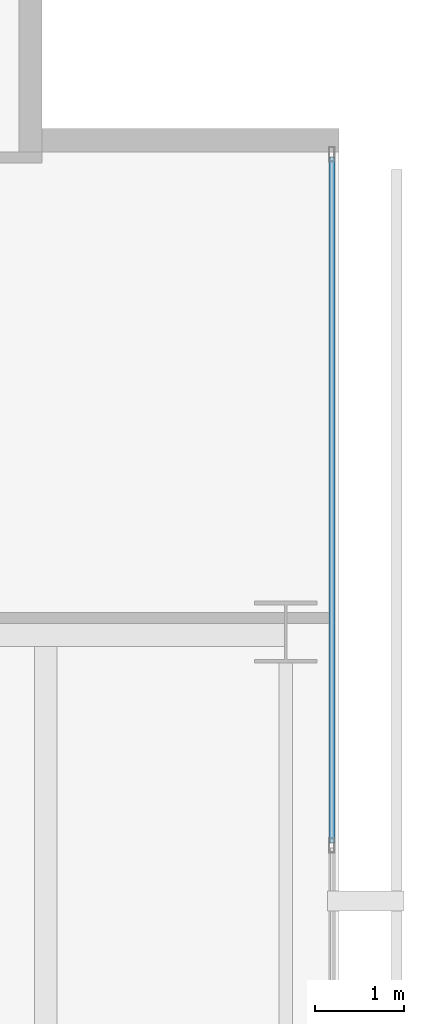
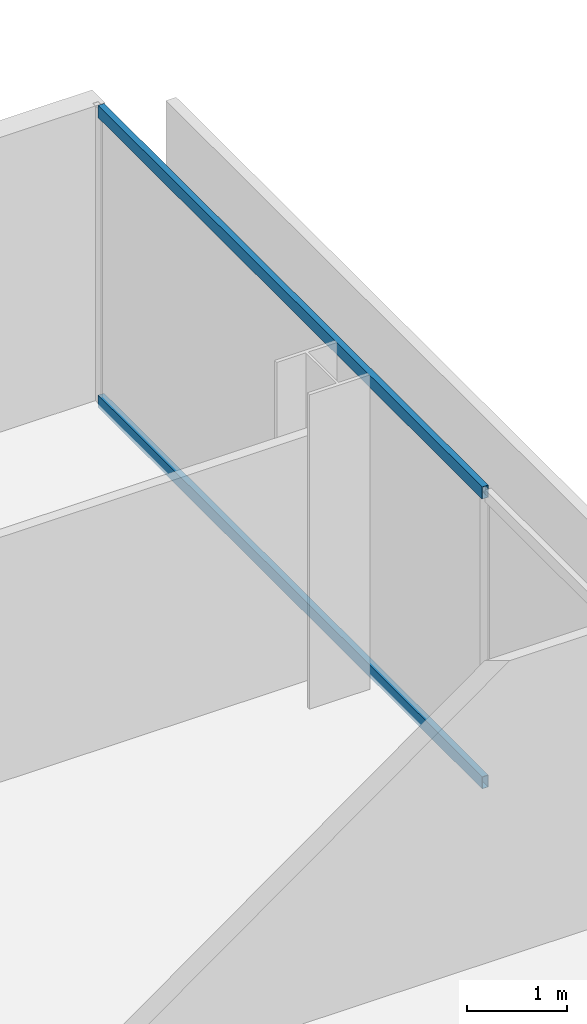
# One storey, part 29 of 40: 2 members, 1 element without a shape of its own.
"""IFC4 building model written with IfcOpenShell, lengths in metres."""

from ifc_helpers import new_model, si_unit, direction, frame, origin, origin_2d, place, context, subcontext, project, spatial, hollow_rectangle, extrude, material, layer, layer_set, material_profile, profile_set, type_object, element, aggregate, save


model = new_model("IFC4")

# Units and contexts
model_context = context("Model", 3, precision=1e-05, world=origin(), true_north=direction((0.0, 1.0)))
body_context = subcontext(model_context, "Body", "Model", "MODEL_VIEW")
ifc_project = project(units=[si_unit("LENGTHUNIT", "METRE"), si_unit("AREAUNIT", "SQUARE_METRE"), si_unit("VOLUMEUNIT", "CUBIC_METRE"), si_unit("PLANEANGLEUNIT", "RADIAN"), si_unit("MASSUNIT", "GRAM", prefix="KILO")], contexts=[model_context])

# Site, building, storey
site_placement = place(None, origin())
site = spatial("IfcSite", under=ifc_project, at=site_placement, CompositionType="ELEMENT")
building_placement = place(site_placement, origin())
building = spatial("IfcBuilding", under=site, at=building_placement, Name="Maruvema Waterfront Hotel and Observation Tower", CompositionType="ELEMENT")
storey_placement = place(building_placement, frame((0.0, 0.0, 80.85009765625)))
storey = spatial("IfcBuildingStorey", under=building, at=storey_placement, Name="L19", CompositionType="ELEMENT", Elevation=80.85009765625)

# Curtain wall, members
ifc_material_1 = material(Name="Anodised bronze aluminium and solar-control low-E IGU", Category="aluminium")
ifc_layer = layer(ifc_material_1, 0.159912109375, Name="Zone 1 Bronze Inner Thermal Curtain Wall System CW-02")
ifc_layer_set = layer_set([ifc_layer], Name="Anodised bronze aluminium and solar-control low-E IGU")
curtain_wall_type = type_object("IfcCurtainWallType", Name="Zone 1 Bronze Inner Thermal Curtain Wall System CW-02", PredefinedType="USERDEFINED", material=ifc_layer_set)
curtain_wall_placement = place(storey_placement, origin())
curtain_wall = element("IfcCurtainWall", 1, at=curtain_wall_placement, inside=storey, type_object=curtain_wall_type, Name="L19 Curtain Wall CW-L19-E", ObjectType="UNITISED CURTAIN WALL", PredefinedType="USERDEFINED")
ifc_material_2 = material(Name="Anodised architectural bronze aluminium", Category="aluminium")
ifc_material_profile = material_profile(ifc_material_2, hollow_rectangle(XDim=0.070068359375, YDim=0.14990234375, WallThickness=0.00390625, at=origin_2d()), Name="ALU-T70x150")
ifc_profile_set = profile_set([ifc_material_profile], Name="Anodised architectural bronze aluminium")
member_type = type_object("IfcMemberType", Name="Curtain Wall Horizontal Transom ALU-T70x150", PredefinedType="USERDEFINED", material=ifc_profile_set)
member_1_placement = place(storey_placement, frame((64.719970703125, 42.6298828125, 0.02978515625), z_axis=(0.0, 1.0, 0.0), x_axis=(-1.0, 0.0, 0.0)))
member_1 = element("IfcMember", 2, at=member_1_placement, type_object=member_type, Name="CW-02 transom 6.1", ObjectType="TRANSOM", PredefinedType="USERDEFINED", context=body_context, shape_type="SweptSolid", body=[
    extrude(hollow_rectangle(XDim=0.070068359375, YDim=0.14990234375, WallThickness=0.00390625, at=origin_2d()), origin(), (0.0, 0.0, 1.0), 7.710205078125),
])
member_2_placement = place(storey_placement, frame((64.719970703125, 42.6298828125, 3.579833984375), z_axis=(0.0, 1.0, 0.0), x_axis=(-1.0, 0.0, 0.0)))
member_2 = element("IfcMember", 3, at=member_2_placement, type_object=member_type, Name="CW-02 transom 6.2", ObjectType="TRANSOM", PredefinedType="USERDEFINED", context=body_context, shape_type="SweptSolid", body=[
    extrude(hollow_rectangle(XDim=0.070068359375, YDim=0.14990234375, WallThickness=0.00390625, at=origin_2d()), origin(), (0.0, 0.0, 1.0), 7.710205078125),
])
aggregate(curtain_wall, [member_1, member_2])

save(model, "model.ifc")
